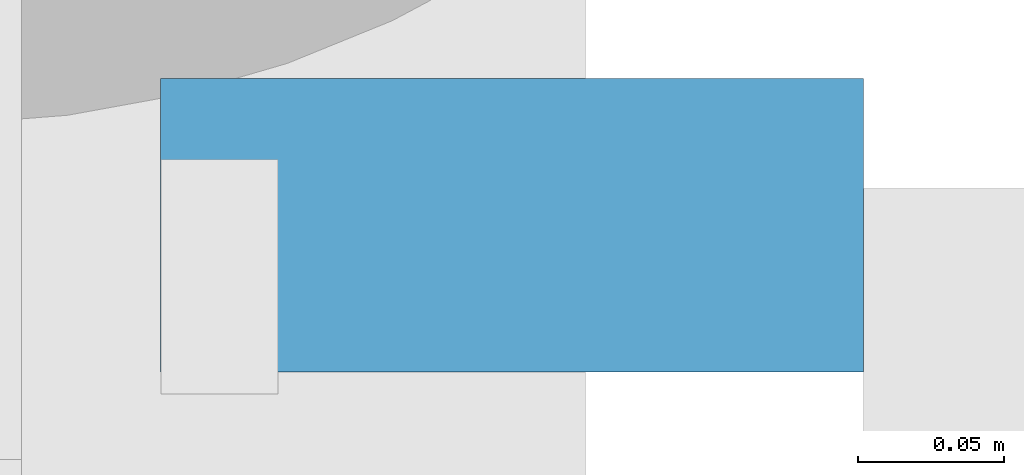
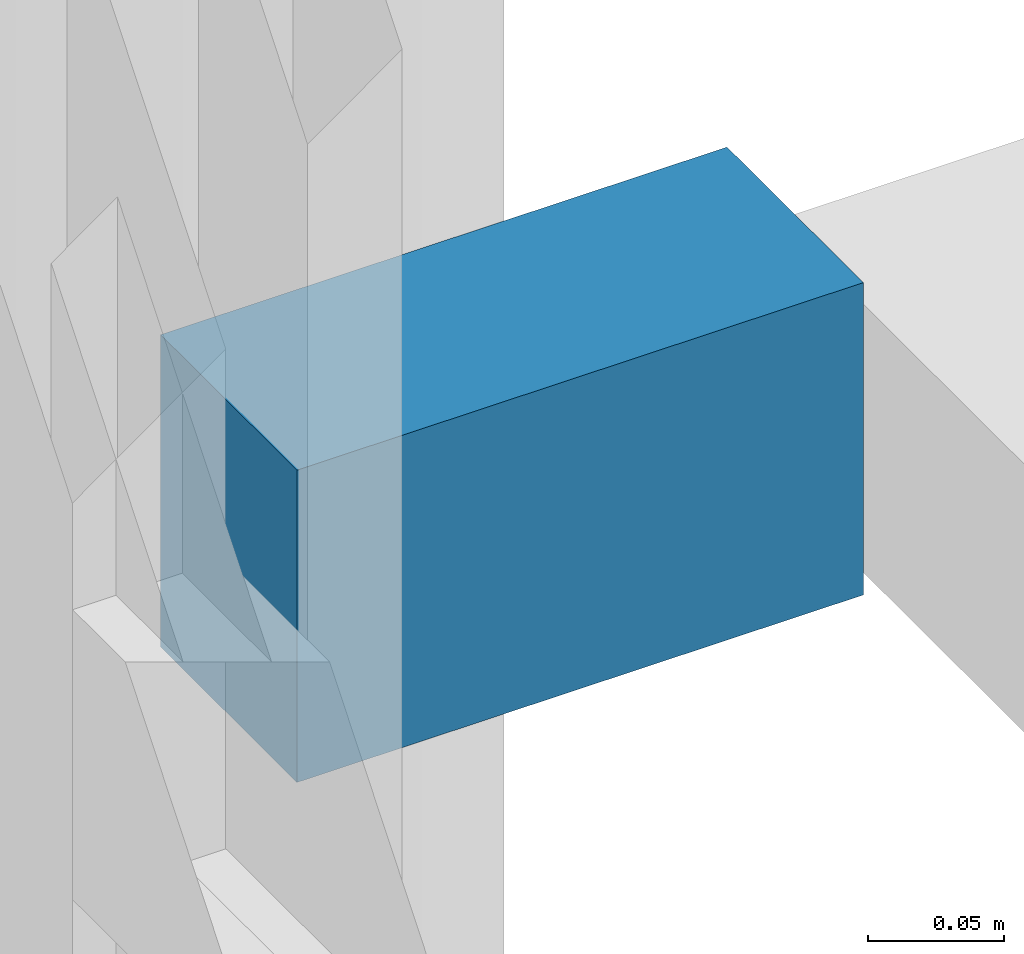
# One storey, part 73 of 122: 1 discrete accessory.
"""IFC4 building model written with IfcOpenShell, lengths in metres."""

from ifc_helpers import new_model, si_unit, direction, frame, origin, origin_2d, place, context, subcontext, project, spatial, rectangle, extrude, material, type_object, element, save


model = new_model("IFC4")

# Units and contexts
model_context = context("Model", 3, precision=1e-05, world=origin(), true_north=direction((0.0, 1.0)))
body_context = subcontext(model_context, "Body", "Model", "MODEL_VIEW")
ifc_project = project(units=[si_unit("LENGTHUNIT", "METRE"), si_unit("AREAUNIT", "SQUARE_METRE"), si_unit("VOLUMEUNIT", "CUBIC_METRE"), si_unit("PLANEANGLEUNIT", "RADIAN"), si_unit("MASSUNIT", "GRAM", prefix="KILO")], contexts=[model_context])

# Site, building, storey
site_placement = place(None, origin())
site = spatial("IfcSite", under=ifc_project, at=site_placement, CompositionType="ELEMENT")
building_placement = place(site_placement, origin())
building = spatial("IfcBuilding", under=site, at=building_placement, Name="Telukmera Botanical Conservatory", CompositionType="ELEMENT")
storey_placement = place(building_placement, frame((0.0, 0.0, 10.199951171875)))
storey = spatial("IfcBuildingStorey", under=building, at=storey_placement, Name="L02", CompositionType="ELEMENT", Elevation=10.199951171875)

# Discrete accessory
ifc_material = material(Name="Steel S355", Category="steel")
discrete_accessory_type = type_object("IfcDiscreteAccessoryType", Name="Structural Steel Facade Outrigger Fin Bracket", PredefinedType="BRACKET", material=ifc_material)
discrete_accessory_placement = place(storey_placement, frame((42.199951171875, 65.990478515625, 0.8798828125), z_axis=(0.0, 0.0, 1.0), x_axis=(0.0, 1.0, 0.0)))
element("IfcDiscreteAccessory", 1, at=discrete_accessory_placement, inside=storey, type_object=discrete_accessory_type, Name="Facade Outrigger Bracket V3:L02:E6 B", PredefinedType="BRACKET", context=body_context, shape_type="SweptSolid", body=[
    extrude(rectangle(XDim=0.10009765625, YDim=0.239990234375, at=origin_2d()), origin(), (0.0, 0.0, 1.0), 0.139892578125),
])

save(model, "model.ifc")
